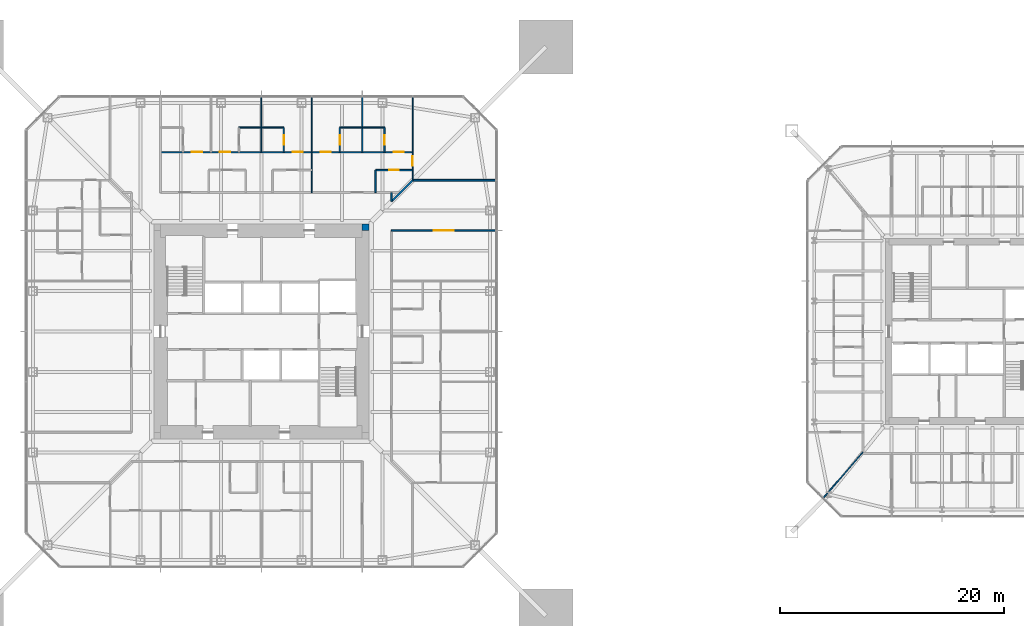
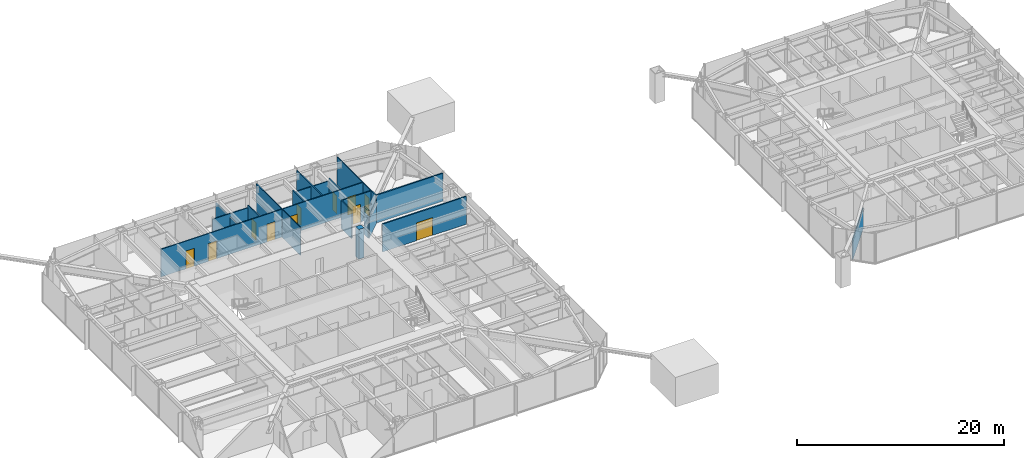
# One storey, part 16 of 25: 18 walls, 11 doors, 11 openings.
"""IFC4 building model written with IfcOpenShell, lengths in metres."""

from ifc_helpers import new_model, si_unit, direction, frame, frame_2d, origin, place, context, subcontext, project, spatial, rectangle, extrude, material, layer, layer_set, type_object, element, fill, save


model = new_model("IFC4")

# Units and contexts
model_context = context("Model", 3, precision=1e-05, world=origin(), true_north=direction((0.0, 1.0)))
body_context = subcontext(model_context, "Body", "Model", "MODEL_VIEW")
ifc_project = project(units=[si_unit("LENGTHUNIT", "METRE"), si_unit("AREAUNIT", "SQUARE_METRE"), si_unit("VOLUMEUNIT", "CUBIC_METRE"), si_unit("PLANEANGLEUNIT", "RADIAN"), si_unit("MASSUNIT", "GRAM", prefix="KILO")], contexts=[model_context])

# Site, building, storey
site_placement = place(None, origin())
site = spatial("IfcSite", under=ifc_project, at=site_placement, CompositionType="ELEMENT")
building_placement = place(site_placement, origin())
building = spatial("IfcBuilding", under=site, at=building_placement, Name="Iwan Alto Co-Living Towers", CompositionType="ELEMENT")
storey_placement = place(building_placement, frame((0.0, 0.0, 119.0)))
storey = spatial("IfcBuildingStorey", under=building, at=storey_placement, Name="L32", CompositionType="ELEMENT", Elevation=119.0)

# Wall, opening, door
ifc_material_1 = material(Name="Gypsum board")
ifc_layer_1 = layer(ifc_material_1, 0.02490234375, Name="Board", Category="Finish")
ifc_material_2 = material(Name="Steel ASTM A1003 ST33H cold-formed studs", Category="steel")
ifc_layer_2 = layer(ifc_material_2, 0.10009765625, Name="Studs", Category="Framing")
ifc_layer_3 = layer(ifc_material_1, 0.02490234375, Name="Board", Category="Finish")
ifc_layer_set_1 = layer_set([ifc_layer_1, ifc_layer_2, ifc_layer_3], Name="CORRIDOR WALL 150")
wall_type_1 = type_object("IfcWallType", Name="CORRIDOR WALL 150", PredefinedType="PARTITIONING", material=ifc_layer_set_1)
wall_1_placement = place(storey_placement, frame((11.60009765625, 9.0, 0.0), z_axis=(0.0, 0.0, 1.0), x_axis=(1.0, 0.0, 0.0)))
wall_1 = element("IfcWall", 1, at=wall_1_placement, inside=storey, type_object=wall_type_1, Name="Partition L32", PredefinedType="PARTITIONING", context=body_context, shape_type="SweptSolid", body=[
    extrude(rectangle(XDim=9.33984375, YDim=0.14990234375, at=frame_2d((4.669921875, 0.0))), origin(), (0.0, 0.0, 1.0), 3.27001953125),
])
opening_1_placement = place(wall_1_placement, frame((3.77001953125, 0.0, 0.0)))
opening_1 = element("IfcOpeningElement", 2, at=opening_1_placement, cuts=wall_1, Name="Opening D9", PredefinedType="OPENING", context=body_context, shape_type="SweptSolid", body=[
    extrude(rectangle(XDim=1.800048828125, YDim=2.10009765625, at=frame_2d((0.89990234375, 1.050048828125))), frame((0.0, 0.0849609375, 0.0), z_axis=(0.0, -1.0, 0.0), x_axis=(1.0, 0.0, 0.0)), (0.0, 0.0, 1.0), 0.169921875),
])
ifc_material_3 = material(Name="Steel frame with timber leaf", Category="steel")
door_type_1 = type_object("IfcDoorType", Name="LOUNGE DOOR FD30S 1800X2100", OperationType="DOUBLE_DOOR_SINGLE_SWING", PredefinedType="DOOR", material=ifc_material_3)
door_1_placement = place(opening_1_placement, frame((1.800048828125, 0.0, 0.0), z_axis=(0.0, 0.0, 1.0), x_axis=(-1.0, 0.0, 0.0)))
door_1 = element("IfcDoor", 3, at=door_1_placement, inside=storey, type_object=door_type_1, Name="Co-working room door L32", OperationType="DOUBLE_DOOR_SINGLE_SWING", OverallHeight=2.10009765625, OverallWidth=1.800048828125, PredefinedType="DOOR", context=body_context, shape_type="SweptSolid", body=[
    extrude(rectangle(XDim=1.800048828125, YDim=2.10009765625, at=frame_2d((0.89990234375, 1.050048828125))), frame((0.0, 0.02490234375, 0.0), z_axis=(0.0, -1.0, 0.0), x_axis=(1.0, 0.0, 0.0)), (0.0, 0.0, 1.0), 0.050048828125),
])
fill(opening_1, door_1)

# Walls
wall_2_placement = place(storey_placement, frame((13.5, 13.5, 0.0), z_axis=(0.0, 0.0, 1.0), x_axis=(1.0, 0.0, 0.0)))
element("IfcWall", 4, at=wall_2_placement, inside=storey, type_object=wall_type_1, Name="Partition L32", PredefinedType="PARTITIONING", context=body_context, shape_type="SweptSolid", body=[
    extrude(rectangle(XDim=7.43994140625, YDim=0.14990234375, at=frame_2d((3.719970703125, 0.0))), origin(), (0.0, 0.0, 1.0), 3.27001953125),
])
wall_3_placement = place(storey_placement, frame((11.60009765625, 11.60009765625, 0.0), z_axis=(0.0, 0.0, 1.0), x_axis=(0.707106781187, 0.707106781187, 0.0)))
element("IfcWall", 5, at=wall_3_placement, inside=storey, type_object=wall_type_1, Name="Partition L32", PredefinedType="PARTITIONING", context=body_context, shape_type="SweptSolid", body=[
    extrude(rectangle(XDim=2.686767578125, YDim=0.14990234375, at=frame_2d((1.34326171875, 0.0))), origin(), (0.0, 0.0, 1.0), 2.343017578125),
])
wall_4_placement = place(storey_placement, frame((11.60009765625, 11.60009765625, 0.0), z_axis=(0.0, 0.0, 1.0), x_axis=(0.0, 1.0, 0.0)))
element("IfcWall", 6, at=wall_4_placement, inside=storey, type_object=wall_type_1, Name="Partition L32", PredefinedType="PARTITIONING", context=body_context, shape_type="SweptSolid", body=[
    extrude(rectangle(XDim=0.7998046875, YDim=0.14990234375, at=frame_2d((0.39990234375, 0.0))), origin(), (0.0, 0.0, 1.0), 3.27001953125),
])

# Wall, openings, doors
ifc_layer_4 = layer(ifc_material_1, 0.012451171875, Name="Board", Category="Finish")
ifc_layer_5 = layer(ifc_material_2, 0.074951171875, Name="Studs", Category="Framing")
ifc_layer_6 = layer(ifc_material_1, 0.012451171875, Name="Board", Category="Finish")
ifc_layer_set_2 = layer_set([ifc_layer_4, ifc_layer_5, ifc_layer_6], Name="PARTITION 100")
wall_type_2 = type_object("IfcWallType", Name="PARTITION 100", PredefinedType="PARTITIONING", material=ifc_layer_set_2)
wall_5_placement = place(storey_placement, frame((-9.0, 16.0, 0.0), z_axis=(0.0, 0.0, 1.0), x_axis=(1.0, 0.0, 0.0)))
wall_5 = element("IfcWall", 7, at=wall_5_placement, inside=storey, type_object=wall_type_2, Name="Partition L32", PredefinedType="PARTITIONING", context=body_context, shape_type="SweptSolid", body=[
    extrude(rectangle(XDim=22.5, YDim=0.10009765625, at=frame_2d((11.25, 0.0))), origin(), (0.0, 0.0, 1.0), 3.27001953125),
])
opening_2_placement = place(wall_5_placement, frame((20.800048828125, 0.0, 0.0)))
opening_2 = element("IfcOpeningElement", 8, at=opening_2_placement, cuts=wall_5, Name="Opening D1", PredefinedType="OPENING", context=body_context, shape_type="SweptSolid", body=[
    extrude(rectangle(XDim=0.89990234375, YDim=2.10009765625, at=frame_2d((0.449951171875, 1.050048828125))), frame((0.0, 0.06005859375, 0.0), z_axis=(0.0, -1.0, 0.0), x_axis=(1.0, 0.0, 0.0)), (0.0, 0.0, 1.0), 0.1201171875),
])
opening_3_placement = place(wall_5_placement, frame((14.300048828125, 0.0, 0.0)))
opening_3 = element("IfcOpeningElement", 9, at=opening_3_placement, cuts=wall_5, Name="Opening D1", PredefinedType="OPENING", context=body_context, shape_type="SweptSolid", body=[
    extrude(rectangle(XDim=0.89990234375, YDim=2.10009765625, at=frame_2d((0.449951171875, 1.050048828125))), frame((0.0, 0.06005859375, 0.0), z_axis=(0.0, -1.0, 0.0), x_axis=(1.0, 0.0, 0.0)), (0.0, 0.0, 1.0), 0.1201171875),
])
opening_4_placement = place(wall_5_placement, frame((11.800048828125, 0.0, 0.0)))
opening_4 = element("IfcOpeningElement", 10, at=opening_4_placement, cuts=wall_5, Name="Opening D1", PredefinedType="OPENING", context=body_context, shape_type="SweptSolid", body=[
    extrude(rectangle(XDim=0.89990234375, YDim=2.10009765625, at=frame_2d((0.449951171875, 1.050048828125))), frame((0.0, 0.06005859375, 0.0), z_axis=(0.0, -1.0, 0.0), x_axis=(1.0, 0.0, 0.0)), (0.0, 0.0, 1.0), 0.1201171875),
])
opening_5_placement = place(wall_5_placement, frame((5.300048828125, 0.0, 0.0)))
opening_5 = element("IfcOpeningElement", 11, at=opening_5_placement, cuts=wall_5, Name="Opening D1", PredefinedType="OPENING", context=body_context, shape_type="SweptSolid", body=[
    extrude(rectangle(XDim=0.89990234375, YDim=2.10009765625, at=frame_2d((0.449951171875, 1.050048828125))), frame((0.0, 0.06005859375, 0.0), z_axis=(0.0, -1.0, 0.0), x_axis=(1.0, 0.0, 0.0)), (0.0, 0.0, 1.0), 0.1201171875),
])
opening_6_placement = place(wall_5_placement, frame((2.800048828125, 0.0, 0.0)))
opening_6 = element("IfcOpeningElement", 12, at=opening_6_placement, cuts=wall_5, Name="Opening D1", PredefinedType="OPENING", context=body_context, shape_type="SweptSolid", body=[
    extrude(rectangle(XDim=0.89990234375, YDim=2.10009765625, at=frame_2d((0.449951171875, 1.050048828125))), frame((0.0, 0.06005859375, 0.0), z_axis=(0.0, -1.0, 0.0), x_axis=(1.0, 0.0, 0.0)), (0.0, 0.0, 1.0), 0.1201171875),
])
ifc_material_4 = material(Name="Timber leaf in steel frame", Category="steel")
door_type_2 = type_object("IfcDoorType", Name="BEDROOM DOOR 900X2100", OperationType="SINGLE_SWING_LEFT", PredefinedType="DOOR", material=ifc_material_4)
door_2_placement = place(opening_2_placement, frame((0.89990234375, 0.0, 0.0), z_axis=(0.0, 0.0, 1.0), x_axis=(-1.0, 0.0, 0.0)))
door_2 = element("IfcDoor", 13, at=door_2_placement, inside=storey, type_object=door_type_2, Name="Study bedroom door L32", OperationType="SINGLE_SWING_LEFT", OverallHeight=2.10009765625, OverallWidth=0.89990234375, PredefinedType="DOOR", context=body_context, shape_type="SweptSolid", body=[
    extrude(rectangle(XDim=0.89990234375, YDim=2.10009765625, at=frame_2d((0.449951171875, 1.050048828125))), frame((0.0, 0.02490234375, 0.0), z_axis=(0.0, -1.0, 0.0), x_axis=(1.0, 0.0, 0.0)), (0.0, 0.0, 1.0), 0.050048828125),
])
fill(opening_2, door_2)
door_3_placement = place(opening_3_placement, frame((0.89990234375, 0.0, 0.0), z_axis=(0.0, 0.0, 1.0), x_axis=(-1.0, 0.0, 0.0)))
door_3 = element("IfcDoor", 14, at=door_3_placement, inside=storey, type_object=door_type_2, Name="Study bedroom door L32", OperationType="SINGLE_SWING_RIGHT", OverallHeight=2.10009765625, OverallWidth=0.89990234375, PredefinedType="DOOR", context=body_context, shape_type="SweptSolid", body=[
    extrude(rectangle(XDim=0.89990234375, YDim=2.10009765625, at=frame_2d((0.449951171875, 1.050048828125))), frame((0.0, 0.02490234375, 0.0), z_axis=(0.0, -1.0, 0.0), x_axis=(1.0, 0.0, 0.0)), (0.0, 0.0, 1.0), 0.050048828125),
])
fill(opening_3, door_3)
door_4_placement = place(opening_4_placement, frame((0.89990234375, 0.0, 0.0), z_axis=(0.0, 0.0, 1.0), x_axis=(-1.0, 0.0, 0.0)))
door_4 = element("IfcDoor", 15, at=door_4_placement, inside=storey, type_object=door_type_2, Name="Study bedroom door L32", OperationType="SINGLE_SWING_LEFT", OverallHeight=2.10009765625, OverallWidth=0.89990234375, PredefinedType="DOOR", context=body_context, shape_type="SweptSolid", body=[
    extrude(rectangle(XDim=0.89990234375, YDim=2.10009765625, at=frame_2d((0.449951171875, 1.050048828125))), frame((0.0, 0.02490234375, 0.0), z_axis=(0.0, -1.0, 0.0), x_axis=(1.0, 0.0, 0.0)), (0.0, 0.0, 1.0), 0.050048828125),
])
fill(opening_4, door_4)
door_5_placement = place(opening_5_placement, frame((0.89990234375, 0.0, 0.0), z_axis=(0.0, 0.0, 1.0), x_axis=(-1.0, 0.0, 0.0)))
door_5 = element("IfcDoor", 16, at=door_5_placement, inside=storey, type_object=door_type_2, Name="Study bedroom door L32", OperationType="SINGLE_SWING_RIGHT", OverallHeight=2.10009765625, OverallWidth=0.89990234375, PredefinedType="DOOR", context=body_context, shape_type="SweptSolid", body=[
    extrude(rectangle(XDim=0.89990234375, YDim=2.10009765625, at=frame_2d((0.449951171875, 1.050048828125))), frame((0.0, 0.02490234375, 0.0), z_axis=(0.0, -1.0, 0.0), x_axis=(1.0, 0.0, 0.0)), (0.0, 0.0, 1.0), 0.050048828125),
])
fill(opening_5, door_5)
door_6_placement = place(opening_6_placement, frame((0.89990234375, 0.0, 0.0), z_axis=(0.0, 0.0, 1.0), x_axis=(-1.0, 0.0, 0.0)))
door_6 = element("IfcDoor", 17, at=door_6_placement, inside=storey, type_object=door_type_2, Name="Study bedroom door L32", OperationType="SINGLE_SWING_RIGHT", OverallHeight=2.10009765625, OverallWidth=0.89990234375, PredefinedType="DOOR", context=body_context, shape_type="SweptSolid", body=[
    extrude(rectangle(XDim=0.89990234375, YDim=2.10009765625, at=frame_2d((0.449951171875, 1.050048828125))), frame((0.0, 0.02490234375, 0.0), z_axis=(0.0, -1.0, 0.0), x_axis=(1.0, 0.0, 0.0)), (0.0, 0.0, 1.0), 0.050048828125),
])
fill(opening_6, door_6)

# Walls
for number, where, z_axis, x_axis, name in (
    (18, (-2.0, 18.199951171875, 0.0), (0.0, 0.0, 1.0), (1.0, 0.0, 0.0), "Partition L32"),
    (19, (7.0, 18.199951171875, 0.0), (0.0, 0.0, 1.0), (1.0, 0.0, 0.0), "Partition L32"),
):
    element("IfcWall", number, at=place(storey_placement, frame(where, z_axis=z_axis, x_axis=x_axis)), inside=storey, type_object=wall_type_2, Name=name, PredefinedType="PARTITIONING", context=body_context, shape_type="SweptSolid", body=[
        extrude(rectangle(XDim=4.0, YDim=0.10009765625, at=frame_2d((2.0, 0.0))), origin(), (0.0, 0.0, 1.0), 3.0),
    ])
wall_6_placement = place(storey_placement, frame((50.178955078125, -14.843994140625, 0.0), z_axis=(0.0, 0.0, 1.0), x_axis=(0.653713095188, 0.756742485381, 0.0)))
element("IfcWall", 20, at=wall_6_placement, inside=storey, type_object=wall_type_2, Name="Partition L32", PredefinedType="PARTITIONING", context=body_context, shape_type="SweptSolid", body=[
    extrude(rectangle(XDim=5.38623046875, YDim=0.10009765625, at=frame_2d((2.693115234375, 0.0))), origin(), (0.0, 0.0, 1.0), 2.42919921875),
])

# Wall, opening, door
wall_7_placement = place(storey_placement, frame((13.5, 13.5, 0.0), z_axis=(0.0, 0.0, 1.0), x_axis=(0.0, 1.0, 0.0)))
wall_7 = element("IfcWall", 21, at=wall_7_placement, inside=storey, type_object=wall_type_2, Name="Partition L32", PredefinedType="PARTITIONING", context=body_context, shape_type="SweptSolid", body=[
    extrude(rectangle(XDim=7.43994140625, YDim=0.10009765625, at=frame_2d((3.719970703125, 0.0))), origin(), (0.0, 0.0, 1.0), 3.27001953125),
])
opening_7_placement = place(wall_7_placement, frame((1.27490234375, 0.0, 0.0)))
opening_7 = element("IfcOpeningElement", 22, at=opening_7_placement, cuts=wall_7, Name="Opening D2", PredefinedType="OPENING", context=body_context, shape_type="SweptSolid", body=[
    extrude(rectangle(XDim=0.85009765625, YDim=2.10009765625, at=frame_2d((0.425048828125, 1.050048828125))), frame((0.0, 0.06005859375, 0.0), z_axis=(0.0, -1.0, 0.0), x_axis=(1.0, 0.0, 0.0)), (0.0, 0.0, 1.0), 0.1201171875),
])
ifc_material_5 = material(Name="Timber leaf in steel frame", Category="steel")
door_type_3 = type_object("IfcDoorType", Name="ROOM DOOR 850X2100", OperationType="SINGLE_SWING_LEFT", PredefinedType="DOOR", material=ifc_material_5)
door_7_placement = place(opening_7_placement, frame((0.85009765625, 0.0, 0.0), z_axis=(0.0, 0.0, 1.0), x_axis=(-1.0, 0.0, 0.0)))
door_7 = element("IfcDoor", 23, at=door_7_placement, inside=storey, type_object=door_type_3, Name="Shared kitchen and lounge door L32", OperationType="SINGLE_SWING_RIGHT", OverallHeight=2.10009765625, OverallWidth=0.85009765625, PredefinedType="DOOR", context=body_context, shape_type="SweptSolid", body=[
    extrude(rectangle(XDim=0.85009765625, YDim=2.10009765625, at=frame_2d((0.425048828125, 1.050048828125))), frame((0.0, 0.02490234375, 0.0), z_axis=(0.0, -1.0, 0.0), x_axis=(1.0, 0.0, 0.0)), (0.0, 0.0, 1.0), 0.050048828125),
])
fill(opening_7, door_7)

# Walls
wall_8_placement = place(storey_placement, frame((9.0, 16.0, 0.0), z_axis=(0.0, 0.0, 1.0), x_axis=(0.0, 1.0, 0.0)))
element("IfcWall", 24, at=wall_8_placement, inside=storey, type_object=wall_type_2, Name="Partition L32", PredefinedType="PARTITIONING", context=body_context, shape_type="SweptSolid", body=[
    extrude(rectangle(XDim=4.93994140625, YDim=0.10009765625, at=frame_2d((2.469970703125, 0.0))), origin(), (0.0, 0.0, 1.0), 3.27001953125),
])
wall_9_placement = place(storey_placement, frame((4.5, 12.39990234375, 0.0), z_axis=(0.0, 0.0, 1.0), x_axis=(0.0, 1.0, 0.0)))
element("IfcWall", 25, at=wall_9_placement, inside=storey, type_object=wall_type_2, Name="Partition L32", PredefinedType="PARTITIONING", context=body_context, shape_type="SweptSolid", body=[
    extrude(rectangle(XDim=8.5400390625, YDim=0.10009765625, at=frame_2d((4.27001953125, 0.0))), origin(), (0.0, 0.0, 1.0), 3.27001953125),
])
wall_10_placement = place(storey_placement, frame((0.0, 16.0, 0.0), z_axis=(0.0, 0.0, 1.0), x_axis=(0.0, 1.0, 0.0)))
element("IfcWall", 26, at=wall_10_placement, inside=storey, type_object=wall_type_2, Name="Partition L32", PredefinedType="PARTITIONING", context=body_context, shape_type="SweptSolid", body=[
    extrude(rectangle(XDim=4.93994140625, YDim=0.10009765625, at=frame_2d((2.469970703125, 0.0))), origin(), (0.0, 0.0, 1.0), 2.586669921875),
])
ifc_material_6 = material(Name="Concrete f'c 70 MPa", Category="concrete")
ifc_layer_7 = layer(ifc_material_6, 0.60009765625)
ifc_layer_set_3 = layer_set([ifc_layer_7], Name="T1 CORE CORNER FILL 600")
wall_type_3 = type_object("IfcWallType", Name="T1 CORE CORNER FILL 600", PredefinedType="SOLIDWALL", material=ifc_layer_set_3)
wall_11_placement = place(storey_placement, frame((9.0, 9.300048828125, 0.0), z_axis=(0.0, 0.0, 1.0), x_axis=(1.0, 0.0, 0.0)))
element("IfcWall", 27, at=wall_11_placement, inside=storey, type_object=wall_type_3, Name="T1 core corner NE L32", PredefinedType="SOLIDWALL", context=body_context, shape_type="SweptSolid", body=[
    extrude(rectangle(XDim=0.60009765625, YDim=0.60009765625, at=frame_2d((0.300048828125, 0.0))), origin(), (0.0, 0.0, 1.0), 3.5),
])

# Wall, opening, door
ifc_material_7 = material(Name="Cement board")
ifc_layer_8 = layer(ifc_material_7, 0.012451171875, Name="Board", Category="Finish")
ifc_layer_9 = layer(ifc_material_2, 0.094970703125, Name="Studs", Category="Framing")
ifc_layer_10 = layer(ifc_material_7, 0.012451171875, Name="Board", Category="Finish")
ifc_layer_set_4 = layer_set([ifc_layer_8, ifc_layer_9, ifc_layer_10], Name="WET AREA PARTITION 120")
wall_type_4 = type_object("IfcWallType", Name="WET AREA PARTITION 120", PredefinedType="PARTITIONING", material=ifc_layer_set_4)
wall_12_placement = place(storey_placement, frame((10.199951171875, 14.39990234375, 0.0), z_axis=(0.0, 0.0, 1.0), x_axis=(1.0, 0.0, 0.0)))
wall_12 = element("IfcWall", 28, at=wall_12_placement, inside=storey, type_object=wall_type_4, Name="Partition L32", PredefinedType="PARTITIONING", context=body_context, shape_type="SweptSolid", body=[
    extrude(rectangle(XDim=3.300048828125, YDim=0.1201171875, at=frame_2d((1.64990234375, 0.0))), origin(), (0.0, 0.0, 1.0), 3.27001953125),
])
opening_8_placement = place(wall_12_placement, frame((1.22509765625, 0.0, 0.0)))
opening_8 = element("IfcOpeningElement", 29, at=opening_8_placement, cuts=wall_12, Name="Opening D2", PredefinedType="OPENING", context=body_context, shape_type="SweptSolid", body=[
    extrude(rectangle(XDim=0.85009765625, YDim=2.10009765625, at=frame_2d((0.425048828125, 1.050048828125))), frame((0.0, 0.070068359375, 0.0), z_axis=(0.0, -1.0, 0.0), x_axis=(1.0, 0.0, 0.0)), (0.0, 0.0, 1.0), 0.14013671875),
])
door_8_placement = place(opening_8_placement, origin())
door_8 = element("IfcDoor", 30, at=door_8_placement, inside=storey, type_object=door_type_3, Name="Bathroom door L32", OperationType="SINGLE_SWING_RIGHT", OverallHeight=2.10009765625, OverallWidth=0.85009765625, PredefinedType="DOOR", context=body_context, shape_type="SweptSolid", body=[
    extrude(rectangle(XDim=0.85009765625, YDim=2.10009765625, at=frame_2d((0.425048828125, 1.050048828125))), frame((0.0, 0.02490234375, 0.0), z_axis=(0.0, -1.0, 0.0), x_axis=(1.0, 0.0, 0.0)), (0.0, 0.0, 1.0), 0.050048828125),
])
fill(opening_8, door_8)

wall_13_placement = place(storey_placement, frame((11.0, 16.0, 0.0), z_axis=(0.0, 0.0, 1.0), x_axis=(0.0, 1.0, 0.0)))
wall_13 = element("IfcWall", 31, at=wall_13_placement, inside=storey, type_object=wall_type_4, Name="Partition L32", PredefinedType="PARTITIONING", context=body_context, shape_type="SweptSolid", body=[
    extrude(rectangle(XDim=2.199951171875, YDim=0.1201171875, at=frame_2d((1.10009765625, 0.0))), origin(), (0.0, 0.0, 1.0), 3.27001953125),
])
opening_9_placement = place(wall_13_placement, frame((0.675048828125, 0.0, 0.0)))
opening_9 = element("IfcOpeningElement", 32, at=opening_9_placement, cuts=wall_13, Name="Opening D2", PredefinedType="OPENING", context=body_context, shape_type="SweptSolid", body=[
    extrude(rectangle(XDim=0.85009765625, YDim=2.10009765625, at=frame_2d((0.425048828125, 1.050048828125))), frame((0.0, 0.070068359375, 0.0), z_axis=(0.0, -1.0, 0.0), x_axis=(1.0, 0.0, 0.0)), (0.0, 0.0, 1.0), 0.14013671875),
])
door_9_placement = place(opening_9_placement, frame((0.85009765625, 0.0, 0.0), z_axis=(0.0, 0.0, 1.0), x_axis=(-1.0, 0.0, 0.0)))
door_9 = element("IfcDoor", 33, at=door_9_placement, inside=storey, type_object=door_type_3, Name="En-suite shower room door L32", OperationType="SINGLE_SWING_RIGHT", OverallHeight=2.10009765625, OverallWidth=0.85009765625, PredefinedType="DOOR", context=body_context, shape_type="SweptSolid", body=[
    extrude(rectangle(XDim=0.85009765625, YDim=2.10009765625, at=frame_2d((0.425048828125, 1.050048828125))), frame((0.0, 0.02490234375, 0.0), z_axis=(0.0, -1.0, 0.0), x_axis=(1.0, 0.0, 0.0)), (0.0, 0.0, 1.0), 0.050048828125),
])
fill(opening_9, door_9)

# Wall
wall_14_placement = place(storey_placement, frame((10.199951171875, 12.39990234375, 0.0), z_axis=(0.0, 0.0, 1.0), x_axis=(0.0, 1.0, 0.0)))
element("IfcWall", 34, at=wall_14_placement, inside=storey, type_object=wall_type_4, Name="Partition L32", PredefinedType="PARTITIONING", context=body_context, shape_type="SweptSolid", body=[
    extrude(rectangle(XDim=2.0, YDim=0.1201171875, at=frame_2d((1.0, 0.0))), origin(), (0.0, 0.0, 1.0), 3.27001953125),
])

# Wall, opening, door
wall_15_placement = place(storey_placement, frame((7.0, 16.0, 0.0), z_axis=(0.0, 0.0, 1.0), x_axis=(0.0, 1.0, 0.0)))
wall_15 = element("IfcWall", 35, at=wall_15_placement, inside=storey, type_object=wall_type_4, Name="Partition L32", PredefinedType="PARTITIONING", context=body_context, shape_type="SweptSolid", body=[
    extrude(rectangle(XDim=2.199951171875, YDim=0.1201171875, at=frame_2d((1.10009765625, 0.0))), origin(), (0.0, 0.0, 1.0), 3.27001953125),
])
opening_10_placement = place(wall_15_placement, frame((0.675048828125, 0.0, 0.0)))
opening_10 = element("IfcOpeningElement", 36, at=opening_10_placement, cuts=wall_15, Name="Opening D2", PredefinedType="OPENING", context=body_context, shape_type="SweptSolid", body=[
    extrude(rectangle(XDim=0.85009765625, YDim=2.10009765625, at=frame_2d((0.425048828125, 1.050048828125))), frame((0.0, 0.070068359375, 0.0), z_axis=(0.0, -1.0, 0.0), x_axis=(1.0, 0.0, 0.0)), (0.0, 0.0, 1.0), 0.14013671875),
])
door_10_placement = place(opening_10_placement, origin())
door_10 = element("IfcDoor", 37, at=door_10_placement, inside=storey, type_object=door_type_3, Name="En-suite shower room door L32", OperationType="SINGLE_SWING_LEFT", OverallHeight=2.10009765625, OverallWidth=0.85009765625, PredefinedType="DOOR", context=body_context, shape_type="SweptSolid", body=[
    extrude(rectangle(XDim=0.85009765625, YDim=2.10009765625, at=frame_2d((0.425048828125, 1.050048828125))), frame((0.0, 0.02490234375, 0.0), z_axis=(0.0, -1.0, 0.0), x_axis=(1.0, 0.0, 0.0)), (0.0, 0.0, 1.0), 0.050048828125),
])
fill(opening_10, door_10)

wall_16_placement = place(storey_placement, frame((2.0, 16.0, 0.0), z_axis=(0.0, 0.0, 1.0), x_axis=(0.0, 1.0, 0.0)))
wall_16 = element("IfcWall", 38, at=wall_16_placement, inside=storey, type_object=wall_type_4, Name="Partition L32", PredefinedType="PARTITIONING", context=body_context, shape_type="SweptSolid", body=[
    extrude(rectangle(XDim=2.199951171875, YDim=0.1201171875, at=frame_2d((1.10009765625, 0.0))), origin(), (0.0, 0.0, 1.0), 3.27001953125),
])
opening_11_placement = place(wall_16_placement, frame((0.675048828125, 0.0, 0.0)))
opening_11 = element("IfcOpeningElement", 39, at=opening_11_placement, cuts=wall_16, Name="Opening D2", PredefinedType="OPENING", context=body_context, shape_type="SweptSolid", body=[
    extrude(rectangle(XDim=0.85009765625, YDim=2.10009765625, at=frame_2d((0.425048828125, 1.050048828125))), frame((0.0, 0.070068359375, 0.0), z_axis=(0.0, -1.0, 0.0), x_axis=(1.0, 0.0, 0.0)), (0.0, 0.0, 1.0), 0.14013671875),
])
door_11_placement = place(opening_11_placement, frame((0.85009765625, 0.0, 0.0), z_axis=(0.0, 0.0, 1.0), x_axis=(-1.0, 0.0, 0.0)))
door_11 = element("IfcDoor", 40, at=door_11_placement, inside=storey, type_object=door_type_3, Name="En-suite shower room door L32", OperationType="SINGLE_SWING_RIGHT", OverallHeight=2.10009765625, OverallWidth=0.85009765625, PredefinedType="DOOR", context=body_context, shape_type="SweptSolid", body=[
    extrude(rectangle(XDim=0.85009765625, YDim=2.10009765625, at=frame_2d((0.425048828125, 1.050048828125))), frame((0.0, 0.02490234375, 0.0), z_axis=(0.0, -1.0, 0.0), x_axis=(1.0, 0.0, 0.0)), (0.0, 0.0, 1.0), 0.050048828125),
])
fill(opening_11, door_11)

save(model, "model.ifc")
